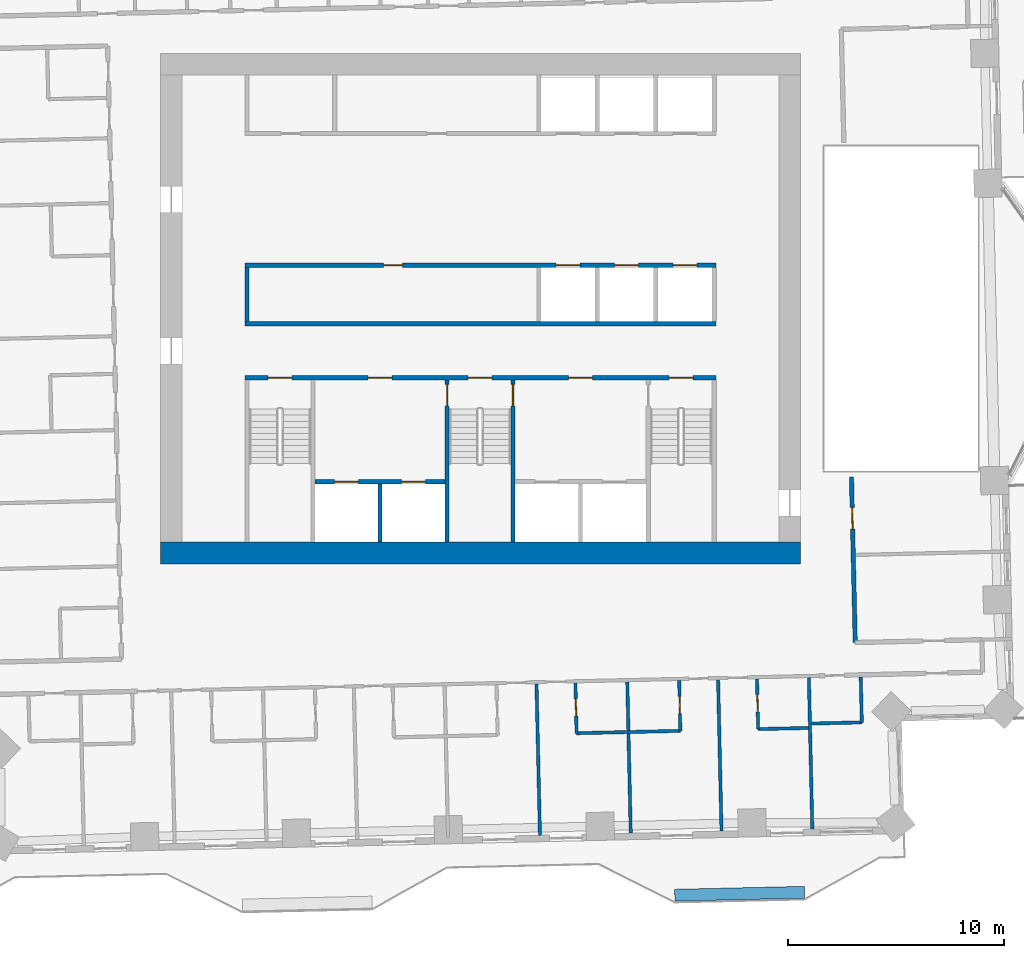
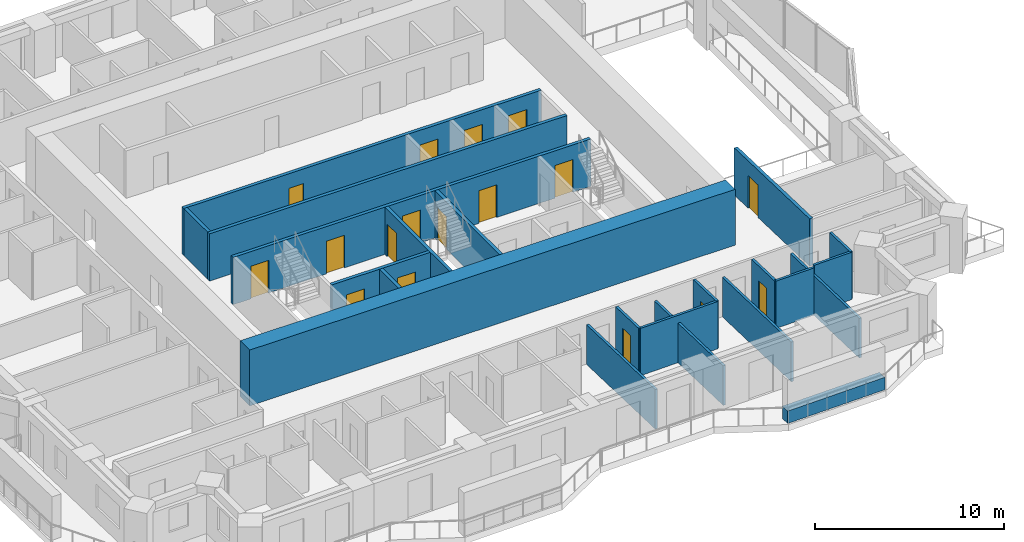
# One storey, part 8 of 16: 22 walls, 17 doors, 17 openings.
"""IFC4 building model written with IfcOpenShell, lengths in metres."""

from ifc_helpers import new_model, si_unit, direction, frame, frame_2d, origin, place, context, subcontext, project, spatial, rectangle, extrude, material, layer, layer_set, type_object, element, fill, save


model = new_model("IFC4")

# Units and contexts
model_context = context("Model", 3, precision=1e-05, world=origin(), true_north=direction((0.0, 1.0)))
body_context = subcontext(model_context, "Body", "Model", "MODEL_VIEW")
ifc_project = project(units=[si_unit("LENGTHUNIT", "METRE"), si_unit("AREAUNIT", "SQUARE_METRE"), si_unit("VOLUMEUNIT", "CUBIC_METRE"), si_unit("PLANEANGLEUNIT", "RADIAN"), si_unit("MASSUNIT", "GRAM", prefix="KILO")], contexts=[model_context])

# Site, building, storey
site_placement = place(None, origin())
site = spatial("IfcSite", under=ifc_project, at=site_placement, CompositionType="ELEMENT")
building_placement = place(site_placement, origin())
building = spatial("IfcBuilding", under=site, at=building_placement, Name="Mangrove Gate Tower", CompositionType="ELEMENT")
storey_placement = place(building_placement, frame((0.0, 0.0, 137.300048828125)))
storey = spatial("IfcBuildingStorey", under=building, at=storey_placement, Name="L34", CompositionType="ELEMENT", Elevation=137.300048828125)

# Walls
ifc_material_1 = material(Name="Concrete C32/40", Category="concrete")
ifc_layer_1 = layer(ifc_material_1, 0.199951171875)
ifc_layer_set_1 = layer_set([ifc_layer_1], Name="Core room wall 200 C32/40")
wall_type_1 = type_object("IfcWallType", Name="Core room wall 200 C32/40", PredefinedType="STANDARD", material=ifc_layer_set_1)
wall_1_placement = place(storey_placement, frame((-10.800048828125, -0.60009765625, 0.0), z_axis=(0.0, 0.0, 1.0), x_axis=(0.0, 1.0, 0.0)))
element("IfcWall", 1, at=wall_1_placement, inside=storey, type_object=wall_type_1, Name="WALL-L34-CORE-19", PredefinedType="STANDARD", context=body_context, shape_type="SweptSolid", body=[
    extrude(rectangle(XDim=2.5, YDim=0.199951171875, at=frame_2d((1.25, 0.0))), origin(), (0.0, 0.0, 1.0), 3.050048828125),
])
ifc_material_2 = material(Name="Concrete C70/85", Category="concrete")
ifc_layer_2 = layer(ifc_material_2, 0.199951171875)
ifc_layer_set_2 = layer_set([ifc_layer_2], Name="Core shaft wall 200 C70/85")
wall_type_2 = type_object("IfcWallType", Name="Core shaft wall 200 C70/85", PredefinedType="SHEAR", material=ifc_layer_set_2)
wall_2_placement = place(storey_placement, frame((-10.89990234375, -0.699951171875, 0.0), z_axis=(0.0, 0.0, 1.0), x_axis=(1.0, 0.0, 0.0)))
element("IfcWall", 2, at=wall_2_placement, inside=storey, type_object=wall_type_2, Name="WALL-L34-CORE-6", PredefinedType="SHEAR", context=body_context, shape_type="SweptSolid", body=[
    extrude(rectangle(XDim=21.7998046875, YDim=0.199951171875, at=frame_2d((10.89990234375, 0.0))), origin(), (0.0, 0.0, 1.0), 3.050048828125),
])

# Wall, openings, doors
wall_3_placement = place(storey_placement, frame((-10.89990234375, 2.0, 0.0), z_axis=(0.0, 0.0, 1.0), x_axis=(1.0, 0.0, 0.0)))
wall_3 = element("IfcWall", 3, at=wall_3_placement, inside=storey, type_object=wall_type_2, Name="WALL-L34-CORE-7", PredefinedType="SHEAR", context=body_context, shape_type="SweptSolid", body=[
    extrude(rectangle(XDim=21.7998046875, YDim=0.199951171875, at=frame_2d((10.89990234375, 0.0))), origin(), (0.0, 0.0, 1.0), 3.050048828125),
])
opening_1_placement = place(wall_3_placement, frame((14.39990234375, 0.0, 0.0)))
opening_1 = element("IfcOpeningElement", 4, at=opening_1_placement, cuts=wall_3, Name="Opening LD", PredefinedType="OPENING", context=body_context, shape_type="SweptSolid", body=[
    extrude(rectangle(XDim=1.10009765625, YDim=2.10009765625, at=frame_2d((0.550048828125, 1.050048828125))), frame((0.0, 0.10986328125, 0.0), z_axis=(0.0, -1.0, 0.0), x_axis=(1.0, 0.0, 0.0)), (0.0, 0.0, 1.0), 0.219970703125),
])
opening_2_placement = place(wall_3_placement, frame((17.10009765625, 0.0, 0.0)))
opening_2 = element("IfcOpeningElement", 5, at=opening_2_placement, cuts=wall_3, Name="Opening LD", PredefinedType="OPENING", context=body_context, shape_type="SweptSolid", body=[
    extrude(rectangle(XDim=1.10009765625, YDim=2.10009765625, at=frame_2d((0.550048828125, 1.050048828125))), frame((0.0, 0.10986328125, 0.0), z_axis=(0.0, -1.0, 0.0), x_axis=(1.0, 0.0, 0.0)), (0.0, 0.0, 1.0), 0.219970703125),
])
opening_3_placement = place(wall_3_placement, frame((19.800048828125, 0.0, 0.0)))
opening_3 = element("IfcOpeningElement", 6, at=opening_3_placement, cuts=wall_3, Name="Opening LD", PredefinedType="OPENING", context=body_context, shape_type="SweptSolid", body=[
    extrude(rectangle(XDim=1.10009765625, YDim=2.10009765625, at=frame_2d((0.550048828125, 1.050048828125))), frame((0.0, 0.10986328125, 0.0), z_axis=(0.0, -1.0, 0.0), x_axis=(1.0, 0.0, 0.0)), (0.0, 0.0, 1.0), 0.219970703125),
])
opening_4_placement = place(wall_3_placement, frame((6.39990234375, 0.0, 0.0)))
opening_4 = element("IfcOpeningElement", 7, at=opening_4_placement, cuts=wall_3, Name="Opening KD", PredefinedType="OPENING", context=body_context, shape_type="SweptSolid", body=[
    extrude(rectangle(XDim=0.89990234375, YDim=2.10009765625, at=frame_2d((0.449951171875, 1.050048828125))), frame((0.0, 0.10986328125, 0.0), z_axis=(0.0, -1.0, 0.0), x_axis=(1.0, 0.0, 0.0)), (0.0, 0.0, 1.0), 0.219970703125),
])
ifc_material_3 = material(Name="Fire-rated steel door set", Category="steel")
door_type_1 = type_object("IfcDoorType", Name="Core room door FD30S 900x2100", OperationType="SINGLE_SWING_RIGHT", PredefinedType="DOOR", material=ifc_material_3)
door_1_placement = place(opening_4_placement, origin())
door_1 = element("IfcDoor", 8, at=door_1_placement, inside=storey, type_object=door_type_1, Name="Core room door Core WC", OperationType="SINGLE_SWING_RIGHT", OverallHeight=2.10009765625, OverallWidth=0.89990234375, PredefinedType="DOOR", context=body_context, shape_type="SweptSolid", body=[
    extrude(rectangle(XDim=0.89990234375, YDim=2.10009765625, at=frame_2d((0.449951171875, 1.050048828125))), frame((0.0, 0.02490234375, 0.0), z_axis=(0.0, -1.0, 0.0), x_axis=(1.0, 0.0, 0.0)), (0.0, 0.0, 1.0), 0.050048828125),
])
fill(opening_4, door_1)
ifc_material_4 = material(Name="Stainless steel 316", Category="steel")
door_type_2 = type_object("IfcDoorType", Name="Lift landing door 1100x2100", OperationType="SLIDING_TO_LEFT", PredefinedType="DOOR", material=ifc_material_4)
door_2_placement = place(opening_1_placement, origin())
door_2 = element("IfcDoor", 9, at=door_2_placement, inside=storey, type_object=door_type_2, Name="Landing door LD M01", OperationType="SLIDING_TO_LEFT", OverallHeight=2.10009765625, OverallWidth=1.10009765625, PredefinedType="DOOR", context=body_context, shape_type="SweptSolid", body=[
    extrude(rectangle(XDim=1.10009765625, YDim=2.10009765625, at=frame_2d((0.550048828125, 1.050048828125))), frame((0.0, 0.02490234375, 0.0), z_axis=(0.0, -1.0, 0.0), x_axis=(1.0, 0.0, 0.0)), (0.0, 0.0, 1.0), 0.050048828125),
])
fill(opening_1, door_2)
door_3_placement = place(opening_2_placement, origin())
door_3 = element("IfcDoor", 10, at=door_3_placement, inside=storey, type_object=door_type_2, Name="Landing door LD M02", OperationType="SLIDING_TO_LEFT", OverallHeight=2.10009765625, OverallWidth=1.10009765625, PredefinedType="DOOR", context=body_context, shape_type="SweptSolid", body=[
    extrude(rectangle(XDim=1.10009765625, YDim=2.10009765625, at=frame_2d((0.550048828125, 1.050048828125))), frame((0.0, 0.02490234375, 0.0), z_axis=(0.0, -1.0, 0.0), x_axis=(1.0, 0.0, 0.0)), (0.0, 0.0, 1.0), 0.050048828125),
])
fill(opening_2, door_3)
door_4_placement = place(opening_3_placement, origin())
door_4 = element("IfcDoor", 11, at=door_4_placement, inside=storey, type_object=door_type_2, Name="Landing door LD M03", OperationType="SLIDING_TO_LEFT", OverallHeight=2.10009765625, OverallWidth=1.10009765625, PredefinedType="DOOR", context=body_context, shape_type="SweptSolid", body=[
    extrude(rectangle(XDim=1.10009765625, YDim=2.10009765625, at=frame_2d((0.550048828125, 1.050048828125))), frame((0.0, 0.02490234375, 0.0), z_axis=(0.0, -1.0, 0.0), x_axis=(1.0, 0.0, 0.0)), (0.0, 0.0, 1.0), 0.050048828125),
])
fill(opening_3, door_4)

wall_4_placement = place(storey_placement, frame((-7.64990234375, -8.0, 0.0), z_axis=(0.0, 0.0, 1.0), x_axis=(1.0, 0.0, 0.0)))
wall_4 = element("IfcWall", 12, at=wall_4_placement, inside=storey, type_object=wall_type_2, Name="WALL-L34-CORE-15", PredefinedType="SHEAR", context=body_context, shape_type="SweptSolid", body=[
    extrude(rectangle(XDim=6.0, YDim=0.199951171875, at=frame_2d((3.0, 0.0))), origin(), (0.0, 0.0, 1.0), 3.050048828125),
])
opening_5_placement = place(wall_4_placement, frame((0.89990234375, 0.0, 0.0)))
opening_5 = element("IfcOpeningElement", 13, at=opening_5_placement, cuts=wall_4, Name="Opening LD", PredefinedType="OPENING", context=body_context, shape_type="SweptSolid", body=[
    extrude(rectangle(XDim=1.10009765625, YDim=2.10009765625, at=frame_2d((0.550048828125, 1.050048828125))), frame((0.0, 0.10986328125, 0.0), z_axis=(0.0, -1.0, 0.0), x_axis=(1.0, 0.0, 0.0)), (0.0, 0.0, 1.0), 0.219970703125),
])
opening_6_placement = place(wall_4_placement, frame((4.0, 0.0, 0.0)))
opening_6 = element("IfcOpeningElement", 14, at=opening_6_placement, cuts=wall_4, Name="Opening LD", PredefinedType="OPENING", context=body_context, shape_type="SweptSolid", body=[
    extrude(rectangle(XDim=1.10009765625, YDim=2.10009765625, at=frame_2d((0.550048828125, 1.050048828125))), frame((0.0, 0.10986328125, 0.0), z_axis=(0.0, -1.0, 0.0), x_axis=(1.0, 0.0, 0.0)), (0.0, 0.0, 1.0), 0.219970703125),
])
door_5_placement = place(opening_5_placement, origin())
door_5 = element("IfcDoor", 15, at=door_5_placement, inside=storey, type_object=door_type_2, Name="Landing door LD SVL1", OperationType="SLIDING_TO_LEFT", OverallHeight=2.10009765625, OverallWidth=1.10009765625, PredefinedType="DOOR", context=body_context, shape_type="SweptSolid", body=[
    extrude(rectangle(XDim=1.10009765625, YDim=2.10009765625, at=frame_2d((0.550048828125, 1.050048828125))), frame((0.0, 0.02490234375, 0.0), z_axis=(0.0, -1.0, 0.0), x_axis=(1.0, 0.0, 0.0)), (0.0, 0.0, 1.0), 0.050048828125),
])
fill(opening_5, door_5)
door_6_placement = place(opening_6_placement, origin())
door_6 = element("IfcDoor", 16, at=door_6_placement, inside=storey, type_object=door_type_2, Name="Landing door LD SVL2", OperationType="SLIDING_TO_LEFT", OverallHeight=2.10009765625, OverallWidth=1.10009765625, PredefinedType="DOOR", context=body_context, shape_type="SweptSolid", body=[
    extrude(rectangle(XDim=1.10009765625, YDim=2.10009765625, at=frame_2d((0.550048828125, 1.050048828125))), frame((0.0, 0.02490234375, 0.0), z_axis=(0.0, -1.0, 0.0), x_axis=(1.0, 0.0, 0.0)), (0.0, 0.0, 1.0), 0.050048828125),
])
fill(opening_6, door_6)

# Wall
wall_5_placement = place(storey_placement, frame((-4.64990234375, -10.800048828125, 0.0), z_axis=(0.0, 0.0, 1.0), x_axis=(0.0, 1.0, 0.0)))
element("IfcWall", 17, at=wall_5_placement, inside=storey, type_object=wall_type_2, Name="WALL-L34-CORE-16", PredefinedType="SHEAR", context=body_context, shape_type="SweptSolid", body=[
    extrude(rectangle(XDim=2.699951171875, YDim=0.199951171875, at=frame_2d((1.35009765625, 0.0))), origin(), (0.0, 0.0, 1.0), 3.050048828125),
])

# Wall, openings, doors
ifc_material_5 = material(Name="Concrete C70/85", Category="concrete")
ifc_layer_3 = layer(ifc_material_5, 0.199951171875)
ifc_layer_set_3 = layer_set([ifc_layer_3], Name="Core stair wall 200 C70/85")
wall_type_3 = type_object("IfcWallType", Name="Core stair wall 200 C70/85", PredefinedType="SHEAR", material=ifc_layer_set_3)
wall_6_placement = place(storey_placement, frame((-10.89990234375, -3.199951171875, 0.0), z_axis=(0.0, 0.0, 1.0), x_axis=(1.0, 0.0, 0.0)))
wall_6 = element("IfcWall", 18, at=wall_6_placement, inside=storey, type_object=wall_type_3, Name="WALL-L34-CORE-5", PredefinedType="SHEAR", context=body_context, shape_type="SweptSolid", body=[
    extrude(rectangle(XDim=21.7998046875, YDim=0.199951171875, at=frame_2d((10.89990234375, 0.0))), origin(), (0.0, 0.0, 1.0), 3.050048828125),
])
opening_7_placement = place(wall_6_placement, frame((1.074951171875, 0.0, 0.0)))
opening_7 = element("IfcOpeningElement", 19, at=opening_7_placement, cuts=wall_6, Name="Opening STD11", PredefinedType="OPENING", context=body_context, shape_type="SweptSolid", body=[
    extrude(rectangle(XDim=1.10009765625, YDim=2.10009765625, at=frame_2d((0.550048828125, 1.050048828125))), frame((0.0, 0.10986328125, 0.0), z_axis=(0.0, -1.0, 0.0), x_axis=(1.0, 0.0, 0.0)), (0.0, 0.0, 1.0), 0.219970703125),
])
opening_8_placement = place(wall_6_placement, frame((10.324951171875, 0.0, 0.0)))
opening_8 = element("IfcOpeningElement", 20, at=opening_8_placement, cuts=wall_6, Name="Opening STD11", PredefinedType="OPENING", context=body_context, shape_type="SweptSolid", body=[
    extrude(rectangle(XDim=1.10009765625, YDim=2.10009765625, at=frame_2d((0.550048828125, 1.050048828125))), frame((0.0, 0.10986328125, 0.0), z_axis=(0.0, -1.0, 0.0), x_axis=(1.0, 0.0, 0.0)), (0.0, 0.0, 1.0), 0.219970703125),
])
opening_9_placement = place(wall_6_placement, frame((19.625, 0.0, 0.0)))
opening_9 = element("IfcOpeningElement", 21, at=opening_9_placement, cuts=wall_6, Name="Opening STD11", PredefinedType="OPENING", context=body_context, shape_type="SweptSolid", body=[
    extrude(rectangle(XDim=1.10009765625, YDim=2.10009765625, at=frame_2d((0.550048828125, 1.050048828125))), frame((0.0, 0.10986328125, 0.0), z_axis=(0.0, -1.0, 0.0), x_axis=(1.0, 0.0, 0.0)), (0.0, 0.0, 1.0), 0.219970703125),
])
opening_10_placement = place(wall_6_placement, frame((5.699951171875, 0.0, 0.0)))
opening_10 = element("IfcOpeningElement", 22, at=opening_10_placement, cuts=wall_6, Name="Opening FL", PredefinedType="OPENING", context=body_context, shape_type="SweptSolid", body=[
    extrude(rectangle(XDim=1.10009765625, YDim=2.10009765625, at=frame_2d((0.550048828125, 1.050048828125))), frame((0.0, 0.10986328125, 0.0), z_axis=(0.0, -1.0, 0.0), x_axis=(1.0, 0.0, 0.0)), (0.0, 0.0, 1.0), 0.219970703125),
])
opening_11_placement = place(wall_6_placement, frame((14.97509765625, 0.0, 0.0)))
opening_11 = element("IfcOpeningElement", 23, at=opening_11_placement, cuts=wall_6, Name="Opening FL", PredefinedType="OPENING", context=body_context, shape_type="SweptSolid", body=[
    extrude(rectangle(XDim=1.10009765625, YDim=2.10009765625, at=frame_2d((0.550048828125, 1.050048828125))), frame((0.0, 0.10986328125, 0.0), z_axis=(0.0, -1.0, 0.0), x_axis=(1.0, 0.0, 0.0)), (0.0, 0.0, 1.0), 0.219970703125),
])
ifc_material_6 = material(Name="Fire-rated steel door set", Category="steel")
door_type_3 = type_object("IfcDoorType", Name="Lobby door FD60 1100x2100", OperationType="SINGLE_SWING_LEFT", PredefinedType="DOOR", material=ifc_material_6)
door_7_placement = place(opening_10_placement, origin())
door_7 = element("IfcDoor", 24, at=door_7_placement, inside=storey, type_object=door_type_3, Name="Lobby door service lobby", OperationType="SINGLE_SWING_LEFT", OverallHeight=2.10009765625, OverallWidth=1.10009765625, PredefinedType="DOOR", context=body_context, shape_type="SweptSolid", body=[
    extrude(rectangle(XDim=1.10009765625, YDim=2.10009765625, at=frame_2d((0.550048828125, 1.050048828125))), frame((0.0, 0.02490234375, 0.0), z_axis=(0.0, -1.0, 0.0), x_axis=(1.0, 0.0, 0.0)), (0.0, 0.0, 1.0), 0.050048828125),
])
fill(opening_10, door_7)
door_8_placement = place(opening_11_placement, origin())
door_8 = element("IfcDoor", 25, at=door_8_placement, inside=storey, type_object=door_type_3, Name="Lobby door fire-fighting lobby", OperationType="SINGLE_SWING_LEFT", OverallHeight=2.10009765625, OverallWidth=1.10009765625, PredefinedType="DOOR", context=body_context, shape_type="SweptSolid", body=[
    extrude(rectangle(XDim=1.10009765625, YDim=2.10009765625, at=frame_2d((0.550048828125, 1.050048828125))), frame((0.0, 0.02490234375, 0.0), z_axis=(0.0, -1.0, 0.0), x_axis=(1.0, 0.0, 0.0)), (0.0, 0.0, 1.0), 0.050048828125),
])
fill(opening_11, door_8)
ifc_material_7 = material(Name="Fire-rated steel door set", Category="steel")
door_type_4 = type_object("IfcDoorType", Name="Stair door FD60 1100x2100", OperationType="SINGLE_SWING_RIGHT", PredefinedType="DOOR", material=ifc_material_7)
door_9_placement = place(opening_7_placement, origin())
door_9 = element("IfcDoor", 26, at=door_9_placement, inside=storey, type_object=door_type_4, Name="Stair door Stair 1", OperationType="SINGLE_SWING_RIGHT", OverallHeight=2.10009765625, OverallWidth=1.10009765625, PredefinedType="DOOR", context=body_context, shape_type="SweptSolid", body=[
    extrude(rectangle(XDim=1.10009765625, YDim=2.10009765625, at=frame_2d((0.550048828125, 1.050048828125))), frame((0.0, 0.02490234375, 0.0), z_axis=(0.0, -1.0, 0.0), x_axis=(1.0, 0.0, 0.0)), (0.0, 0.0, 1.0), 0.050048828125),
])
fill(opening_7, door_9)
door_10_placement = place(opening_8_placement, origin())
door_10 = element("IfcDoor", 27, at=door_10_placement, inside=storey, type_object=door_type_4, Name="Stair door Stair 2", OperationType="SINGLE_SWING_RIGHT", OverallHeight=2.10009765625, OverallWidth=1.10009765625, PredefinedType="DOOR", context=body_context, shape_type="SweptSolid", body=[
    extrude(rectangle(XDim=1.10009765625, YDim=2.10009765625, at=frame_2d((0.550048828125, 1.050048828125))), frame((0.0, 0.02490234375, 0.0), z_axis=(0.0, -1.0, 0.0), x_axis=(1.0, 0.0, 0.0)), (0.0, 0.0, 1.0), 0.050048828125),
])
fill(opening_8, door_10)
door_11_placement = place(opening_9_placement, origin())
door_11 = element("IfcDoor", 28, at=door_11_placement, inside=storey, type_object=door_type_4, Name="Stair door Stair 3", OperationType="SINGLE_SWING_RIGHT", OverallHeight=2.10009765625, OverallWidth=1.10009765625, PredefinedType="DOOR", context=body_context, shape_type="SweptSolid", body=[
    extrude(rectangle(XDim=1.10009765625, YDim=2.10009765625, at=frame_2d((0.550048828125, 1.050048828125))), frame((0.0, 0.02490234375, 0.0), z_axis=(0.0, -1.0, 0.0), x_axis=(1.0, 0.0, 0.0)), (0.0, 0.0, 1.0), 0.050048828125),
])
fill(opening_9, door_11)

# Wall, opening, door
wall_7_placement = place(storey_placement, frame((-1.550048828125, -10.800048828125, 0.0), z_axis=(0.0, 0.0, 1.0), x_axis=(0.0, 1.0, 0.0)))
wall_7 = element("IfcWall", 29, at=wall_7_placement, inside=storey, type_object=wall_type_3, Name="WALL-L34-CORE-11", PredefinedType="SHEAR", context=body_context, shape_type="SweptSolid", body=[
    extrude(rectangle(XDim=7.5, YDim=0.199951171875, at=frame_2d((3.75, 0.0))), origin(), (0.0, 0.0, 1.0), 3.050048828125),
])
opening_12_placement = place(wall_7_placement, frame((6.300048828125, 0.0, 0.0)))
opening_12 = element("IfcOpeningElement", 30, at=opening_12_placement, cuts=wall_7, Name="Opening STD10", PredefinedType="OPENING", context=body_context, shape_type="SweptSolid", body=[
    extrude(rectangle(XDim=1.0, YDim=2.10009765625, at=frame_2d((0.5, 1.050048828125))), frame((0.0, 0.10986328125, 0.0), z_axis=(0.0, -1.0, 0.0), x_axis=(1.0, 0.0, 0.0)), (0.0, 0.0, 1.0), 0.219970703125),
])
ifc_material_8 = material(Name="Fire-rated steel door set", Category="steel")
door_type_5 = type_object("IfcDoorType", Name="Stair door FD60 1000x2100", OperationType="SINGLE_SWING_RIGHT", PredefinedType="DOOR", material=ifc_material_8)
door_12_placement = place(opening_12_placement, origin())
door_12 = element("IfcDoor", 31, at=door_12_placement, inside=storey, type_object=door_type_5, Name="Stair door Stair 2 from service lobby", OperationType="SINGLE_SWING_RIGHT", OverallHeight=2.10009765625, OverallWidth=1.0, PredefinedType="DOOR", context=body_context, shape_type="SweptSolid", body=[
    extrude(rectangle(XDim=1.0, YDim=2.10009765625, at=frame_2d((0.5, 1.050048828125))), frame((0.0, 0.02490234375, 0.0), z_axis=(0.0, -1.0, 0.0), x_axis=(1.0, 0.0, 0.0)), (0.0, 0.0, 1.0), 0.050048828125),
])
fill(opening_12, door_12)

wall_8_placement = place(storey_placement, frame((1.5, -10.800048828125, 0.0), z_axis=(0.0, 0.0, 1.0), x_axis=(0.0, 1.0, 0.0)))
wall_8 = element("IfcWall", 32, at=wall_8_placement, inside=storey, type_object=wall_type_3, Name="WALL-L34-CORE-12", PredefinedType="SHEAR", context=body_context, shape_type="SweptSolid", body=[
    extrude(rectangle(XDim=7.5, YDim=0.199951171875, at=frame_2d((3.75, 0.0))), origin(), (0.0, 0.0, 1.0), 3.050048828125),
])
opening_13_placement = place(wall_8_placement, frame((6.300048828125, 0.0, 0.0)))
opening_13 = element("IfcOpeningElement", 33, at=opening_13_placement, cuts=wall_8, Name="Opening STD10", PredefinedType="OPENING", context=body_context, shape_type="SweptSolid", body=[
    extrude(rectangle(XDim=1.0, YDim=2.10009765625, at=frame_2d((0.5, 1.050048828125))), frame((0.0, 0.10986328125, 0.0), z_axis=(0.0, -1.0, 0.0), x_axis=(1.0, 0.0, 0.0)), (0.0, 0.0, 1.0), 0.219970703125),
])
door_13_placement = place(opening_13_placement, origin())
door_13 = element("IfcDoor", 34, at=door_13_placement, inside=storey, type_object=door_type_5, Name="Stair door Stair 2 from fire-fighting lobby", OperationType="SINGLE_SWING_RIGHT", OverallHeight=2.10009765625, OverallWidth=1.0, PredefinedType="DOOR", context=body_context, shape_type="SweptSolid", body=[
    extrude(rectangle(XDim=1.0, YDim=2.10009765625, at=frame_2d((0.5, 1.050048828125))), frame((0.0, 0.02490234375, 0.0), z_axis=(0.0, -1.0, 0.0), x_axis=(1.0, 0.0, 0.0)), (0.0, 0.0, 1.0), 0.050048828125),
])
fill(opening_13, door_13)

# Wall
ifc_material_9 = material(Name="Concrete C70/85", Category="concrete")
ifc_layer_4 = layer(ifc_material_9, 1.0)
ifc_layer_set_4 = layer_set([ifc_layer_4], Name="Core wall 1000 C70/85")
wall_type_4 = type_object("IfcWallType", Name="Core wall 1000 C70/85", PredefinedType="SHEAR", material=ifc_layer_set_4)
wall_9_placement = place(storey_placement, frame((-14.800048828125, -11.300048828125, 0.0), z_axis=(0.0, 0.0, 1.0), x_axis=(1.0, 0.0, 0.0)))
element("IfcWall", 35, at=wall_9_placement, inside=storey, type_object=wall_type_4, Name="WALL-L34-CORE-1", PredefinedType="SHEAR", context=body_context, shape_type="SweptSolid", body=[
    extrude(rectangle(XDim=29.60009765625, YDim=1.0, at=frame_2d((14.800048828125, 0.0))), origin(), (0.0, 0.0, 1.0), 3.599853515625),
])

# Wall, opening, door
ifc_material_10 = material(Name="Gypsum board on steel stud, EI 60", Category="steel")
ifc_layer_5 = layer(ifc_material_10, 0.199951171875)
ifc_layer_set_5 = layer_set([ifc_layer_5], Name="Corridor wall EI 60")
wall_type_5 = type_object("IfcWallType", Name="Corridor wall EI 60", PredefinedType="PARTITIONING", material=ifc_layer_set_5)
wall_10_placement = place(storey_placement, frame((17.327880859375, -15.447998046875, 0.0), z_axis=(0.0, 0.0, 1.0), x_axis=(-0.022680883318, 0.999742755679, 0.0)))
wall_10 = element("IfcWall", 36, at=wall_10_placement, inside=storey, type_object=wall_type_5, Name="WALL-L34-034", PredefinedType="PARTITIONING", context=body_context, shape_type="SweptSolid", body=[
    extrude(rectangle(XDim=7.6640625, YDim=0.199951171875, at=frame_2d((3.83203125, 0.0))), origin(), (0.0, 0.0, 1.0), 3.050048828125),
])
opening_14_placement = place(wall_10_placement, frame((5.2548828125, 0.0, 0.0)))
opening_14 = element("IfcOpeningElement", 37, at=opening_14_placement, cuts=wall_10, Name="Opening AD", PredefinedType="OPENING", context=body_context, shape_type="SweptSolid", body=[
    extrude(rectangle(XDim=1.0, YDim=2.10009765625, at=frame_2d((0.5, 1.050048828125))), frame((0.0, 0.10986328125, 0.0), z_axis=(0.0, -1.0, 0.0), x_axis=(1.0, 0.0, 0.0)), (0.0, 0.0, 1.0), 0.219970703125),
])
ifc_material_11 = material(Name="Timber door leaf", Category="wood")
door_type_6 = type_object("IfcDoorType", Name="Amenity door 1000", OperationType="SINGLE_SWING_LEFT", PredefinedType="DOOR", material=ifc_material_11)
door_14_placement = place(opening_14_placement, origin())
door_14 = element("IfcDoor", 38, at=door_14_placement, inside=storey, type_object=door_type_6, Name="DOOR-L34-STU-c3a", OperationType="SINGLE_SWING_RIGHT", OverallHeight=2.10009765625, OverallWidth=1.0, PredefinedType="DOOR", context=body_context, shape_type="SweptSolid", body=[
    extrude(rectangle(XDim=1.0, YDim=2.10009765625, at=frame_2d((0.5, 1.050048828125))), frame((0.0, 0.02490234375, 0.0), z_axis=(0.0, -1.0, 0.0), x_axis=(1.0, 0.0, 0.0)), (0.0, 0.0, 1.0), 0.050048828125),
])
fill(opening_14, door_14)

# Walls
ifc_material_12 = material(Name="Gypsum board on steel stud, EI 60", Category="steel")
ifc_layer_6 = layer(ifc_material_12, 0.14990234375)
ifc_layer_set_6 = layer_set([ifc_layer_6], Name="Party wall 150 EI 60")
wall_type_6 = type_object("IfcWallType", Name="Party wall 150 EI 60", PredefinedType="PARTITIONING", material=ifc_layer_set_6)
wall_11_placement = place(storey_placement, frame((2.74609375, -24.35791015625, 0.0), z_axis=(0.0, 0.0, 1.0), x_axis=(-0.022734078158, 0.999741547446, 0.0)))
element("IfcWall", 39, at=wall_11_placement, inside=storey, type_object=wall_type_6, Name="WALL-L34-006", PredefinedType="PARTITIONING", context=body_context, shape_type="SweptSolid", body=[
    extrude(rectangle(XDim=7.001708984375, YDim=0.14990234375, at=frame_2d((3.5009765625, 0.0))), origin(), (0.0, 0.0, 1.0), 2.550048828125),
])
wall_12_placement = place(storey_placement, frame((6.945068359375, -24.261962890625, 0.0), z_axis=(0.0, 0.0, 1.0), x_axis=(-0.022737248567, 0.999741475346, 0.0)))
element("IfcWall", 40, at=wall_12_placement, inside=storey, type_object=wall_type_6, Name="WALL-L34-007", PredefinedType="PARTITIONING", context=body_context, shape_type="SweptSolid", body=[
    extrude(rectangle(XDim=7.000732421875, YDim=0.14990234375, at=frame_2d((3.50048828125, 0.0))), origin(), (0.0, 0.0, 1.0), 2.550048828125),
])
for number, where, z_axis, x_axis, name in (
    (41, (11.14404296875, -24.1669921875, 0.0), (0.0, 0.0, 1.0), (-0.022699227919, 0.999742339331, 0.0), "WALL-L34-008"),
    (42, (15.343017578125, -24.072021484375, 0.0), (0.0, 0.0, 1.0), (-0.022699227919, 0.999742339331, 0.0), "WALL-L34-009"),
):
    element("IfcWall", number, at=place(storey_placement, frame(where, z_axis=z_axis, x_axis=x_axis)), inside=storey, type_object=wall_type_6, Name=name, PredefinedType="PARTITIONING", context=body_context, shape_type="SweptSolid", body=[
        extrude(rectangle(XDim=7.001708984375, YDim=0.14990234375, at=frame_2d((3.5009765625, 0.0))), origin(), (0.0, 0.0, 1.0), 2.550048828125),
    ])

# Wall, opening, door
wall_13_placement = place(storey_placement, frame((4.43994140625, -19.64208984375, 0.0), z_axis=(0.0, 0.0, 1.0), x_axis=(-0.022778632478, 0.99974053329, 0.0)))
wall_13 = element("IfcWall", 43, at=wall_13_placement, inside=storey, type_object=wall_type_6, Name="WALL-L34-015", PredefinedType="PARTITIONING", context=body_context, shape_type="SweptSolid", body=[
    extrude(rectangle(XDim=2.32568359375, YDim=0.14990234375, at=frame_2d((1.162841796875, 0.0))), origin(), (0.0, 0.0, 1.0), 3.050048828125),
])
opening_15_placement = place(wall_13_placement, frame((0.800048828125, 0.0, 0.0)))
opening_15 = element("IfcOpeningElement", 44, at=opening_15_placement, cuts=wall_13, Name="Opening ED", PredefinedType="OPENING", context=body_context, shape_type="SweptSolid", body=[
    extrude(rectangle(XDim=0.800048828125, YDim=2.10009765625, at=frame_2d((0.39990234375, 1.050048828125))), frame((0.0, 0.0849609375, 0.0), z_axis=(0.0, -1.0, 0.0), x_axis=(1.0, 0.0, 0.0)), (0.0, 0.0, 1.0), 0.169921875),
])
ifc_material_13 = material(Name="Timber door leaf", Category="wood")
door_type_7 = type_object("IfcDoorType", Name="En-suite door 800", OperationType="SINGLE_SWING_LEFT", PredefinedType="DOOR", material=ifc_material_13)
door_15_placement = place(opening_15_placement, origin())
door_15 = element("IfcDoor", 45, at=door_15_placement, inside=storey, type_object=door_type_7, Name="DOOR-L34-ENS-c206", OperationType="SINGLE_SWING_RIGHT", OverallHeight=2.10009765625, OverallWidth=0.800048828125, PredefinedType="DOOR", context=body_context, shape_type="SweptSolid", body=[
    extrude(rectangle(XDim=0.800048828125, YDim=2.10009765625, at=frame_2d((0.39990234375, 1.050048828125))), frame((0.0, 0.02490234375, 0.0), z_axis=(0.0, -1.0, 0.0), x_axis=(1.0, 0.0, 0.0)), (0.0, 0.0, 1.0), 0.050048828125),
])
fill(opening_15, door_15)

wall_14_placement = place(storey_placement, frame((9.239013671875, -19.532958984375, 0.0), z_axis=(0.0, 0.0, 1.0), x_axis=(-0.022781023197, 0.999740478815, 0.0)))
wall_14 = element("IfcWall", 46, at=wall_14_placement, inside=storey, type_object=wall_type_6, Name="WALL-L34-016", PredefinedType="PARTITIONING", context=body_context, shape_type="SweptSolid", body=[
    extrude(rectangle(XDim=2.325439453125, YDim=0.14990234375, at=frame_2d((1.16259765625, 0.0))), origin(), (0.0, 0.0, 1.0), 3.050048828125),
])
opening_16_placement = place(wall_14_placement, frame((0.800048828125, 0.0, 0.0)))
opening_16 = element("IfcOpeningElement", 47, at=opening_16_placement, cuts=wall_14, Name="Opening ED", PredefinedType="OPENING", context=body_context, shape_type="SweptSolid", body=[
    extrude(rectangle(XDim=0.800048828125, YDim=2.10009765625, at=frame_2d((0.39990234375, 1.050048828125))), frame((0.0, 0.0849609375, 0.0), z_axis=(0.0, -1.0, 0.0), x_axis=(1.0, 0.0, 0.0)), (0.0, 0.0, 1.0), 0.169921875),
])
door_16_placement = place(opening_16_placement, origin())
door_16 = element("IfcDoor", 48, at=door_16_placement, inside=storey, type_object=door_type_7, Name="DOOR-L34-ENS-c307", OperationType="SINGLE_SWING_LEFT", OverallHeight=2.10009765625, OverallWidth=0.800048828125, PredefinedType="DOOR", context=body_context, shape_type="SweptSolid", body=[
    extrude(rectangle(XDim=0.800048828125, YDim=2.10009765625, at=frame_2d((0.39990234375, 1.050048828125))), frame((0.0, 0.02490234375, 0.0), z_axis=(0.0, -1.0, 0.0), x_axis=(1.0, 0.0, 0.0)), (0.0, 0.0, 1.0), 0.050048828125),
])
fill(opening_16, door_16)

wall_15_placement = place(storey_placement, frame((12.837890625, -19.450927734375, 0.0), z_axis=(0.0, 0.0, 1.0), x_axis=(-0.02279059109, 0.999740260747, 0.0)))
wall_15 = element("IfcWall", 49, at=wall_15_placement, inside=storey, type_object=wall_type_6, Name="WALL-L34-017", PredefinedType="PARTITIONING", context=body_context, shape_type="SweptSolid", body=[
    extrude(rectangle(XDim=2.324462890625, YDim=0.14990234375, at=frame_2d((1.162109375, 0.0))), origin(), (0.0, 0.0, 1.0), 3.050048828125),
])
opening_17_placement = place(wall_15_placement, frame((0.800048828125, 0.0, 0.0)))
opening_17 = element("IfcOpeningElement", 50, at=opening_17_placement, cuts=wall_15, Name="Opening ED", PredefinedType="OPENING", context=body_context, shape_type="SweptSolid", body=[
    extrude(rectangle(XDim=0.800048828125, YDim=2.10009765625, at=frame_2d((0.39990234375, 1.050048828125))), frame((0.0, 0.0849609375, 0.0), z_axis=(0.0, -1.0, 0.0), x_axis=(1.0, 0.0, 0.0)), (0.0, 0.0, 1.0), 0.169921875),
])
door_17_placement = place(opening_17_placement, origin())
door_17 = element("IfcDoor", 51, at=door_17_placement, inside=storey, type_object=door_type_7, Name="DOOR-L34-ENS-c308", OperationType="SINGLE_SWING_RIGHT", OverallHeight=2.10009765625, OverallWidth=0.800048828125, PredefinedType="DOOR", context=body_context, shape_type="SweptSolid", body=[
    extrude(rectangle(XDim=0.800048828125, YDim=2.10009765625, at=frame_2d((0.39990234375, 1.050048828125))), frame((0.0, 0.02490234375, 0.0), z_axis=(0.0, -1.0, 0.0), x_axis=(1.0, 0.0, 0.0)), (0.0, 0.0, 1.0), 0.050048828125),
])
fill(opening_17, door_17)

# Walls
wall_16_placement = place(storey_placement, frame((4.43798828125, -19.637939453125, 0.0), z_axis=(0.0, 0.0, 1.0), x_axis=(0.999742596585, 0.02268789488, 0.0)))
element("IfcWall", 52, at=wall_16_placement, inside=storey, type_object=wall_type_6, Name="WALL-L34-021", PredefinedType="PARTITIONING", context=body_context, shape_type="SweptSolid", body=[
    extrude(rectangle(XDim=4.79931640625, YDim=0.14990234375, at=frame_2d((2.399658203125, 0.0))), origin(), (0.0, 0.0, 1.0), 3.050048828125),
])
wall_17_placement = place(storey_placement, frame((12.8349609375, -19.447021484375, 0.0), z_axis=(0.0, 0.0, 1.0), x_axis=(0.999740478815, 0.022781023197, 0.0)))
element("IfcWall", 53, at=wall_17_placement, inside=storey, type_object=wall_type_6, Name="WALL-L34-022", PredefinedType="PARTITIONING", context=body_context, shape_type="SweptSolid", body=[
    extrude(rectangle(XDim=2.325439453125, YDim=0.14990234375, at=frame_2d((1.16259765625, 0.0))), origin(), (0.0, 0.0, 1.0), 3.050048828125),
])
wall_18_placement = place(storey_placement, frame((17.632080078125, -19.14208984375, 0.0), z_axis=(0.0, 0.0, 1.0), x_axis=(-0.022906293375, 0.999737616439, 0.0)))
element("IfcWall", 54, at=wall_18_placement, inside=storey, type_object=wall_type_6, Name="WALL-L34-024", PredefinedType="PARTITIONING", context=body_context, shape_type="SweptSolid", body=[
    extrude(rectangle(XDim=2.099609375, YDim=0.14990234375, at=frame_2d((1.0498046875, 0.0))), origin(), (0.0, 0.0, 1.0), 3.050048828125),
])
wall_19_placement = place(storey_placement, frame((15.304931640625, -19.19091796875, 0.0), z_axis=(0.0, 0.0, 1.0), x_axis=(0.999740478815, 0.022781023197, 0.0)))
element("IfcWall", 55, at=wall_19_placement, inside=storey, type_object=wall_type_6, Name="WALL-L34-026", PredefinedType="PARTITIONING", context=body_context, shape_type="SweptSolid", body=[
    extrude(rectangle(XDim=2.325439453125, YDim=0.14990234375, at=frame_2d((1.16259765625, 0.0))), origin(), (0.0, 0.0, 1.0), 3.050048828125),
])
ifc_material_14 = material(Name="Concrete C32/40", Category="concrete")
ifc_layer_7 = layer(ifc_material_14, 0.199951171875, Name="Planter trough wall")
ifc_material_15 = material(Name="Bituminous waterproofing membrane")
ifc_layer_8 = layer(ifc_material_15, 0.0048828125, Name="Waterproofing")
ifc_material_16 = material(Name="Drainage board and gravel")
ifc_layer_9 = layer(ifc_material_16, 0.044921875, Name="Drainage layer")
ifc_material_17 = material(Name="Planting soil")
ifc_layer_10 = layer(ifc_material_17, 0.300048828125, Name="Growing medium")
ifc_layer_set_7 = layer_set([ifc_layer_7, ifc_layer_8, ifc_layer_9, ifc_layer_10], Name="Planter wall 550 C32/40")
wall_type_7 = type_object("IfcWallType", Name="Planter wall 550 C32/40", PredefinedType="USERDEFINED", material=ifc_layer_set_7)
wall_20_placement = place(storey_placement, frame((8.98095703125, -27.131103515625, 0.0), z_axis=(0.0, 0.0, 1.0), x_axis=(0.999743178102, 0.022662255828, 0.0)))
element("IfcWall", 56, at=wall_20_placement, inside=storey, type_object=wall_type_7, Name="PLANTER L34 S1.1", ObjectType="PLANTER", PredefinedType="USERDEFINED", context=body_context, shape_type="SweptSolid", body=[
    extrude(rectangle(XDim=6.00048828125, YDim=0.550048828125, at=frame_2d((3.000244140625, 0.0))), origin(), (0.0, 0.0, 1.0), 0.800048828125),
])

save(model, "model.ifc")
